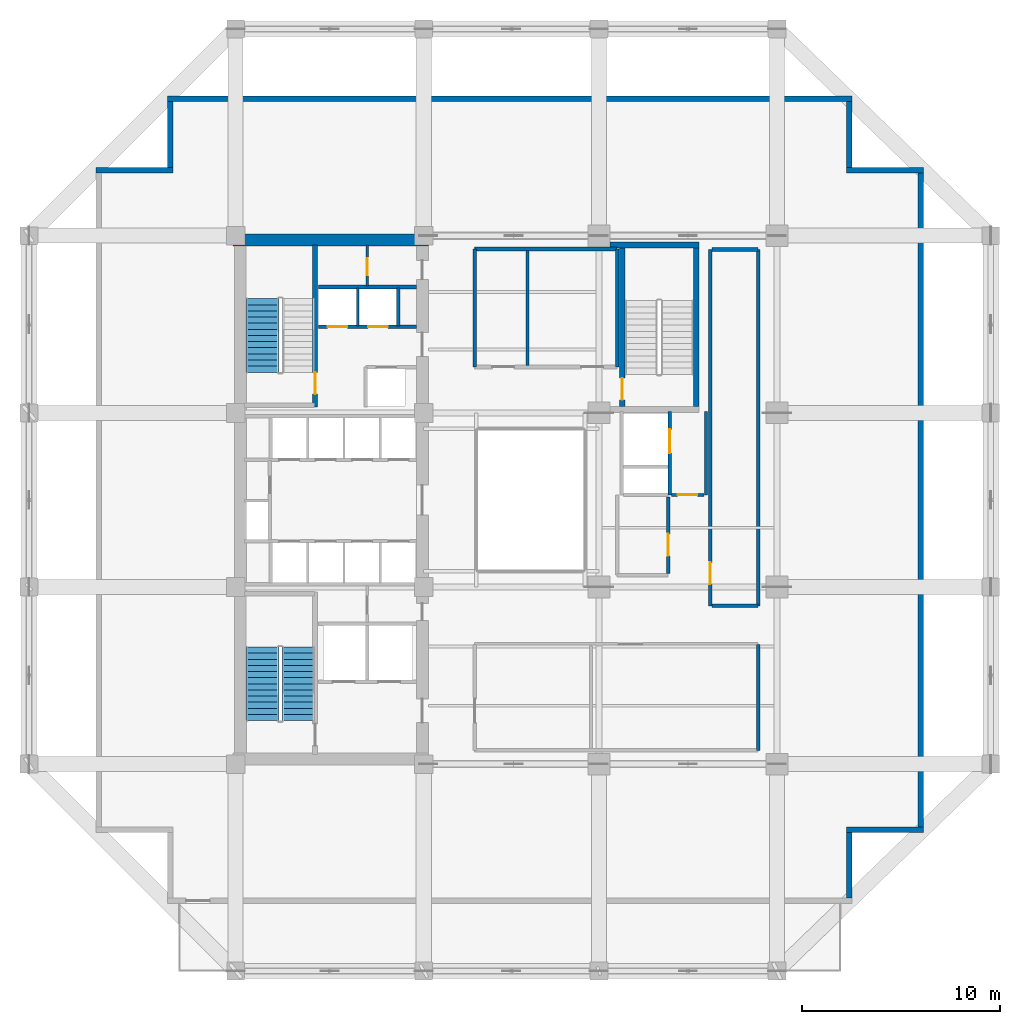
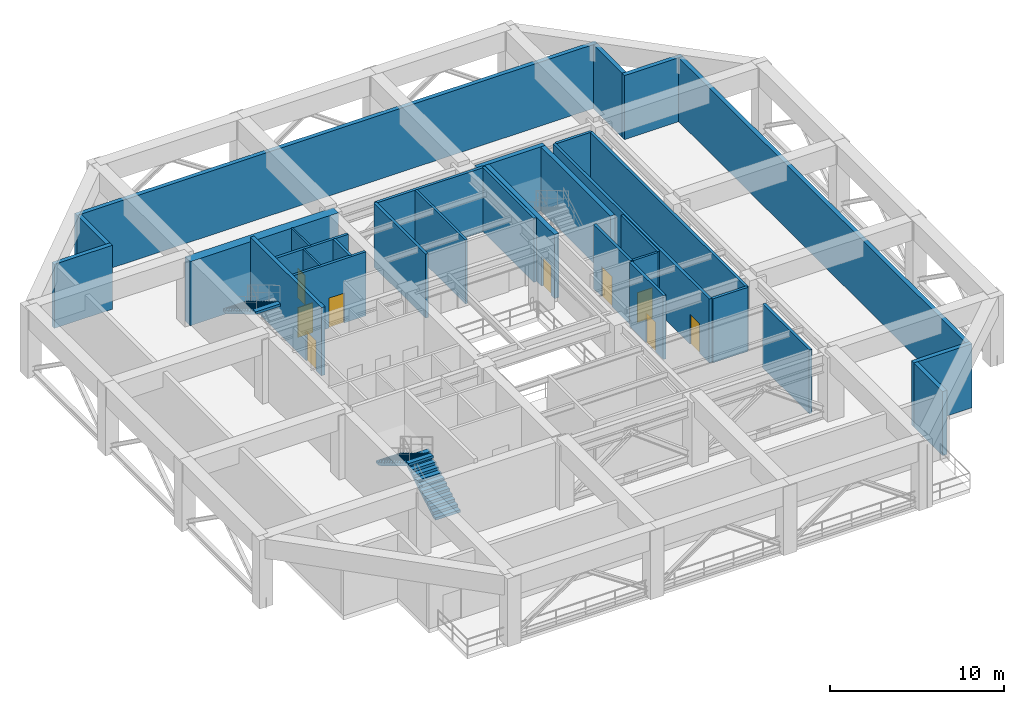
# One storey, part 5 of 10: 31 walls, 9 doors, 3 stair flights, 9 openings, 2 elements without a shape of their own.
"""IFC4 building model written with IfcOpenShell, lengths in metres."""

from ifc_helpers import new_model, si_unit, direction, frame, frame_2d, origin, place, context, subcontext, project, spatial, polyline, rectangle, outline, extrude, material, layer, layer_set, type_object, element, fill, aggregate, save


model = new_model("IFC4")

# Units and contexts
model_context = context("Model", 3, precision=1e-05, world=origin(), true_north=direction((0.0, 1.0)))
body_context = subcontext(model_context, "Body", "Model", "MODEL_VIEW")
ifc_project = project(units=[si_unit("LENGTHUNIT", "METRE"), si_unit("AREAUNIT", "SQUARE_METRE"), si_unit("VOLUMEUNIT", "CUBIC_METRE"), si_unit("PLANEANGLEUNIT", "RADIAN"), si_unit("MASSUNIT", "GRAM", prefix="KILO")], contexts=[model_context])

# Site, building, storey
site_placement = place(None, origin())
site = spatial("IfcSite", under=ifc_project, at=site_placement, CompositionType="ELEMENT")
building_placement = place(site_placement, origin())
building = spatial("IfcBuilding", under=site, at=building_placement, Name="Kundavana Baori Tower", CompositionType="ELEMENT")
storey_placement = place(building_placement, frame((0.0, 0.0, 94.0)))
storey = spatial("IfcBuildingStorey", under=building, at=storey_placement, Name="L22", CompositionType="ELEMENT", Elevation=94.0)

# Wall, opening, door
ifc_material_1 = material(Name="Concrete C50/60", Category="concrete")
ifc_layer_1 = layer(ifc_material_1, 0.39990234375, Name="WL-CORE-400")
ifc_layer_set_1 = layer_set([ifc_layer_1], Name="Concrete C50/60")
wall_type_1 = type_object("IfcWallType", Name="WL-CORE-400", PredefinedType="SHEAR", material=ifc_layer_set_1)
wall_1_placement = place(storey_placement, frame((19.4599609375, 33.300048828125, 0.0), z_axis=(0.0, 0.0, 1.0), x_axis=(0.0, 1.0, 0.0)))
wall_1 = element("IfcWall", 1, at=wall_1_placement, inside=storey, type_object=wall_type_1, Name="WL-L22-ST2-E", PredefinedType="SHEAR", context=body_context, shape_type="SweptSolid", body=[
    extrude(rectangle(XDim=8.179931640625, YDim=0.239990234375, at=frame_2d((4.08984375, 0.0))), origin(), (0.0, 0.0, 1.0), 4.800048828125),
])
opening_1_placement = place(wall_1_placement, frame((0.64990234375, 0.0, 0.0)))
opening_1 = element("IfcOpeningElement", 2, at=opening_1_placement, cuts=wall_1, Name="Opening FD-110", PredefinedType="OPENING", context=body_context, shape_type="SweptSolid", body=[
    extrude(rectangle(XDim=1.10009765625, YDim=2.10009765625, at=frame_2d((0.550048828125, 1.050048828125))), frame((0.0, 0.1298828125, 0.0), z_axis=(0.0, -1.0, 0.0), x_axis=(1.0, 0.0, 0.0)), (0.0, 0.0, 1.0), 0.260009765625),
])
ifc_material_2 = material(Name="Galvanised Steel Fire-Rated Door Leaf", Category="steel")
door_type_1 = type_object("IfcDoorType", Name="DR-FD120-1100", OperationType="NOTDEFINED", PredefinedType="DOOR", material=ifc_material_2)
door_1_placement = place(opening_1_placement, origin())
door_1 = element("IfcDoor", 3, at=door_1_placement, inside=storey, type_object=door_type_1, Name="DR-L22-ST2", OperationType="SINGLE_SWING_RIGHT", OverallHeight=2.10009765625, OverallWidth=1.10009765625, PredefinedType="DOOR", context=body_context, shape_type="SweptSolid", body=[
    extrude(rectangle(XDim=1.10009765625, YDim=2.10009765625, at=frame_2d((0.550048828125, 1.050048828125))), frame((0.0, 0.02490234375, 0.0), z_axis=(0.0, -1.0, 0.0), x_axis=(1.0, 0.0, 0.0)), (0.0, 0.0, 1.0), 0.050048828125),
])
fill(opening_1, door_1)

# Walls
ifc_material_3 = material(Name="Concrete C60/75", Category="concrete")
ifc_layer_2 = layer(ifc_material_3, 0.60009765625, Name="WL-CORE-600")
ifc_layer_set_2 = layer_set([ifc_layer_2], Name="Concrete C60/75")
wall_type_2 = type_object("IfcWallType", Name="WL-CORE-600", PredefinedType="SHEAR", material=ifc_layer_set_2)
wall_2_placement = place(storey_placement, frame((15.300048828125, 41.739990234375, 0.0), z_axis=(0.0, 0.0, 1.0), x_axis=(1.0, 0.0, 0.0)))
element("IfcWall", 4, at=wall_2_placement, inside=storey, type_object=wall_type_2, Name="L22 Offset Core North Shear Wall", PredefinedType="SHEAR", context=body_context, shape_type="SweptSolid", body=[
    extrude(rectangle(XDim=9.8798828125, YDim=0.60009765625, at=frame_2d((4.93994140625, 0.0))), origin(), (0.0, 0.0, 1.0), 4.5),
])
ifc_material_4 = material(Name="Red-Buff Dholpur Sandstone Cladding on Concrete C40/50", Category="masonry")
ifc_layer_3 = layer(ifc_material_4, 0.280029296875, Name="WL-EXT-SAND-280")
ifc_layer_set_3 = layer_set([ifc_layer_3], Name="Red-Buff Dholpur Sandstone Cladding on Concrete C40/50")
wall_type_3 = type_object("IfcWallType", Name="WL-EXT-SAND-280", PredefinedType="STANDARD", material=ifc_layer_set_3)
wall_3_placement = place(storey_placement, frame((46.4599609375, 8.47998046875, 0.0), z_axis=(0.0, 0.0, 1.0), x_axis=(0.0, 1.0, 0.0)))
element("IfcWall", 5, at=wall_3_placement, inside=storey, type_object=wall_type_3, Name="L22 Exterior Insulated Facade Wall 02", PredefinedType="STANDARD", context=body_context, shape_type="SweptSolid", body=[
    extrude(rectangle(XDim=3.320068359375, YDim=0.280029296875, at=frame_2d((1.66015625, 0.0))), origin(), (0.0, 0.0, 1.0), 4.5),
])
wall_4_placement = place(storey_placement, frame((46.320068359375, 11.93994140625, 0.0), z_axis=(0.0, 0.0, 1.0), x_axis=(1.0, 0.0, 0.0)))
element("IfcWall", 6, at=wall_4_placement, inside=storey, type_object=wall_type_3, Name="L22 Exterior Insulated Facade Wall 03", PredefinedType="STANDARD", context=body_context, shape_type="SweptSolid", body=[
    extrude(rectangle(XDim=3.8798828125, YDim=0.280029296875, at=frame_2d((1.93994140625, 0.0))), origin(), (0.0, 0.0, 1.0), 4.5),
])
wall_5_placement = place(storey_placement, frame((50.06005859375, 12.080078125, 0.0), z_axis=(0.0, 0.0, 1.0), x_axis=(0.0, 1.0, 0.0)))
element("IfcWall", 7, at=wall_5_placement, inside=storey, type_object=wall_type_3, Name="L22 Exterior Insulated Facade Wall 04", PredefinedType="STANDARD", context=body_context, shape_type="SweptSolid", body=[
    extrude(rectangle(XDim=33.0400390625, YDim=0.280029296875, at=frame_2d((16.52001953125, 0.0))), origin(), (0.0, 0.0, 1.0), 4.5),
])
wall_6_placement = place(storey_placement, frame((50.199951171875, 45.260009765625, 0.0), z_axis=(0.0, 0.0, 1.0), x_axis=(-1.0, 0.0, 0.0)))
element("IfcWall", 8, at=wall_6_placement, inside=storey, type_object=wall_type_3, Name="L22 Exterior Insulated Facade Wall 05", PredefinedType="STANDARD", context=body_context, shape_type="SweptSolid", body=[
    extrude(rectangle(XDim=3.8798828125, YDim=0.280029296875, at=frame_2d((1.93994140625, 0.0))), origin(), (0.0, 0.0, 1.0), 4.5),
])
wall_7_placement = place(storey_placement, frame((46.4599609375, 45.39990234375, 0.0), z_axis=(0.0, 0.0, 1.0), x_axis=(0.0, 1.0, 0.0)))
element("IfcWall", 9, at=wall_7_placement, inside=storey, type_object=wall_type_3, Name="L22 Exterior Insulated Facade Wall 06", PredefinedType="STANDARD", context=body_context, shape_type="SweptSolid", body=[
    extrude(rectangle(XDim=3.320068359375, YDim=0.280029296875, at=frame_2d((1.66015625, 0.0))), origin(), (0.0, 0.0, 1.0), 4.5),
])
wall_8_placement = place(storey_placement, frame((46.60009765625, 48.860107421875, 0.0), z_axis=(0.0, 0.0, 1.0), x_axis=(-1.0, 0.0, 0.0)))
element("IfcWall", 10, at=wall_8_placement, inside=storey, type_object=wall_type_3, Name="L22 Exterior Insulated Facade Wall 07", PredefinedType="STANDARD", context=body_context, shape_type="SweptSolid", body=[
    extrude(rectangle(XDim=34.60009765625, YDim=0.280029296875, at=frame_2d((17.300048828125, 0.0))), origin(), (0.0, 0.0, 1.0), 4.5),
])
wall_9_placement = place(storey_placement, frame((12.139892578125, 48.719970703125, 0.0), z_axis=(0.0, 0.0, 1.0), x_axis=(0.0, -1.0, 0.0)))
element("IfcWall", 11, at=wall_9_placement, inside=storey, type_object=wall_type_3, Name="L22 Exterior Insulated Facade Wall 08", PredefinedType="STANDARD", context=body_context, shape_type="SweptSolid", body=[
    extrude(rectangle(XDim=3.320068359375, YDim=0.280029296875, at=frame_2d((1.66015625, 0.0))), origin(), (0.0, 0.0, 1.0), 4.5),
])
wall_10_placement = place(storey_placement, frame((12.280029296875, 45.260009765625, 0.0), z_axis=(0.0, 0.0, 1.0), x_axis=(-1.0, 0.0, 0.0)))
element("IfcWall", 12, at=wall_10_placement, inside=storey, type_object=wall_type_3, Name="L22 Exterior Insulated Facade Wall 09", PredefinedType="STANDARD", context=body_context, shape_type="SweptSolid", body=[
    extrude(rectangle(XDim=3.880126953125, YDim=0.280029296875, at=frame_2d((1.93994140625, 0.0))), origin(), (0.0, 0.0, 1.0), 4.5),
])
ifc_material_5 = material(Name="Acoustic Gypsum Plasterboard on Galvanised Steel Studs", Category="steel")
ifc_layer_4 = layer(ifc_material_5, 0.1201171875, Name="WL-PART-120")
ifc_layer_set_4 = layer_set([ifc_layer_4], Name="Acoustic Gypsum Plasterboard on Galvanised Steel Studs")
wall_type_4 = type_object("IfcWallType", Name="WL-PART-120", PredefinedType="PARTITIONING", material=ifc_layer_set_4)
wall_11_placement = place(storey_placement, frame((21.6201171875, 37.39990234375, 0.0), z_axis=(0.0, 0.0, 1.0), x_axis=(0.0, 1.0, 0.0)))
element("IfcWall", 13, at=wall_11_placement, inside=storey, type_object=wall_type_4, Name="WL-L22-HR-DIV1", PredefinedType="PARTITIONING", context=body_context, shape_type="SweptSolid", body=[
    extrude(rectangle(XDim=1.900146484375, YDim=0.1201171875, at=frame_2d((0.9501953125, 0.0))), origin(), (0.0, 0.0, 1.0), 4.5),
])

# Wall, opening, door
wall_12_placement = place(storey_placement, frame((22.10009765625, 39.39990234375, 0.0), z_axis=(0.0, 0.0, 1.0), x_axis=(0.0, 1.0, 0.0)))
wall_12 = element("IfcWall", 14, at=wall_12_placement, inside=storey, type_object=wall_type_4, Name="WL-L22-CSRV-D1", PredefinedType="PARTITIONING", context=body_context, shape_type="SweptSolid", body=[
    extrude(rectangle(XDim=2.080078125, YDim=0.1201171875, at=frame_2d((1.0400390625, 0.0))), origin(), (0.0, 0.0, 1.0), 4.5),
])
opening_2_placement = place(wall_12_placement, frame((0.550048828125, 0.0, 0.0)))
opening_2 = element("IfcOpeningElement", 15, at=opening_2_placement, cuts=wall_12, Name="Opening FD-085", PredefinedType="OPENING", context=body_context, shape_type="SweptSolid", body=[
    extrude(rectangle(XDim=0.85009765625, YDim=2.06005859375, at=frame_2d((0.425048828125, 1.030029296875))), frame((0.0, 0.070068359375, 0.0), z_axis=(0.0, -1.0, 0.0), x_axis=(1.0, 0.0, 0.0)), (0.0, 0.0, 1.0), 0.14013671875),
])
ifc_material_6 = material(Name="Galvanised Steel Fire-Rated Door Leaf", Category="steel")
door_type_2 = type_object("IfcDoorType", Name="DR-FD60-850", OperationType="NOTDEFINED", PredefinedType="DOOR", material=ifc_material_6)
door_2_placement = place(opening_2_placement, origin())
door_2 = element("IfcDoor", 16, at=door_2_placement, inside=storey, type_object=door_type_2, Name="DR-L22-CSRV1", OperationType="SINGLE_SWING_LEFT", OverallHeight=2.06005859375, OverallWidth=0.85009765625, PredefinedType="DOOR", context=body_context, shape_type="SweptSolid", body=[
    extrude(rectangle(XDim=0.85009765625, YDim=2.06005859375, at=frame_2d((0.425048828125, 1.030029296875))), frame((0.0, 0.02490234375, 0.0), z_axis=(0.0, -1.0, 0.0), x_axis=(1.0, 0.0, 0.0)), (0.0, 0.0, 1.0), 0.050048828125),
])
fill(opening_2, door_2)

# Wall
ifc_material_7 = material(Name="Fire-Rated Gypsum Drywall on Galvanised Steel Studs", Category="steel")
ifc_layer_5 = layer(ifc_material_7, 0.14990234375, Name="WL-PART-150")
ifc_layer_set_5 = layer_set([ifc_layer_5], Name="Fire-Rated Gypsum Drywall on Galvanised Steel Studs")
wall_type_5 = type_object("IfcWallType", Name="WL-PART-150", PredefinedType="PARTITIONING", material=ifc_layer_set_5)
wall_13_placement = place(storey_placement, frame((39.199951171875, 28.860107421875, 0.0), z_axis=(0.0, 0.0, 1.0), x_axis=(0.0, 1.0, 0.0)))
element("IfcWall", 17, at=wall_13_placement, inside=storey, type_object=wall_type_5, Name="WL-L22-SVLOB-E", PredefinedType="PARTITIONING", context=body_context, shape_type="SweptSolid", body=[
    extrude(rectangle(XDim=4.219970703125, YDim=0.14990234375, at=frame_2d((2.10986328125, 0.0))), origin(), (0.0, 0.0, 1.0), 4.5),
])

# Wall, opening, door
wall_14_placement = place(storey_placement, frame((37.47998046875, 28.860107421875, 0.0), z_axis=(0.0, 0.0, 1.0), x_axis=(1.0, 0.0, 0.0)))
wall_14 = element("IfcWall", 18, at=wall_14_placement, inside=storey, type_object=wall_type_5, Name="WL-L22-SVLOB-S", PredefinedType="PARTITIONING", context=body_context, shape_type="SweptSolid", body=[
    extrude(rectangle(XDim=1.64013671875, YDim=0.14990234375, at=frame_2d((0.820068359375, 0.0))), origin(), (0.0, 0.0, 1.0), 4.5),
])
opening_3_placement = place(wall_14_placement, frame((0.300048828125, 0.0, 0.0)))
opening_3 = element("IfcOpeningElement", 19, at=opening_3_placement, cuts=wall_14, Name="Opening FD-100", PredefinedType="OPENING", context=body_context, shape_type="SweptSolid", body=[
    extrude(rectangle(XDim=1.0, YDim=2.10009765625, at=frame_2d((0.5, 1.050048828125))), frame((0.0, 0.0849609375, 0.0), z_axis=(0.0, -1.0, 0.0), x_axis=(1.0, 0.0, 0.0)), (0.0, 0.0, 1.0), 0.169921875),
])
ifc_material_8 = material(Name="Engineered Teak Fire-Rated Timber Door Leaf", Category="wood")
door_type_3 = type_object("IfcDoorType", Name="DR-FD60-1000", OperationType="NOTDEFINED", PredefinedType="DOOR", material=ifc_material_8)
door_3_placement = place(opening_3_placement, origin())
door_3 = element("IfcDoor", 20, at=door_3_placement, inside=storey, type_object=door_type_3, Name="DR-L22-SVLOB-OUT", OperationType="SINGLE_SWING_LEFT", OverallHeight=2.10009765625, OverallWidth=1.0, PredefinedType="DOOR", context=body_context, shape_type="SweptSolid", body=[
    extrude(rectangle(XDim=1.0, YDim=2.10009765625, at=frame_2d((0.5, 1.050048828125))), frame((0.0, 0.02490234375, 0.0), z_axis=(0.0, -1.0, 0.0), x_axis=(1.0, 0.0, 0.0)), (0.0, 0.0, 1.0), 0.050048828125),
])
fill(opening_3, door_3)

# Walls
wall_15_placement = place(storey_placement, frame((30.199951171875, 35.39990234375, 0.0), z_axis=(0.0, 0.0, 1.0), x_axis=(0.0, 1.0, 0.0)))
element("IfcWall", 21, at=wall_15_placement, inside=storey, type_object=wall_type_5, Name="WL-L22-PLD2", PredefinedType="PARTITIONING", context=body_context, shape_type="SweptSolid", body=[
    extrude(rectangle(XDim=5.800048828125, YDim=0.14990234375, at=frame_2d((2.89990234375, 0.0))), origin(), (0.0, 0.0, 1.0), 4.5),
])
ifc_material_9 = material(Name="Autoclaved Aerated Concrete Blockwork Masonry", Category="masonry")
ifc_layer_6 = layer(ifc_material_9, 0.18505859375, Name="WL-PART-180")
ifc_layer_set_6 = layer_set([ifc_layer_6], Name="Autoclaved Aerated Concrete Blockwork Masonry")
wall_type_6 = type_object("IfcWallType", Name="WL-PART-180", PredefinedType="SOLIDWALL", material=ifc_layer_set_6)
wall_16_placement = place(storey_placement, frame((41.85009765625, 15.949951171875, 0.0), z_axis=(0.0, 0.0, 1.0), x_axis=(0.0, 1.0, 0.0)))
element("IfcWall", 22, at=wall_16_placement, inside=storey, type_object=wall_type_6, Name="WL-L22-REF-E", PredefinedType="SOLIDWALL", context=body_context, shape_type="SweptSolid", body=[
    extrude(rectangle(XDim=5.35009765625, YDim=0.18505859375, at=frame_2d((2.675048828125, 0.0))), origin(), (0.0, 0.0, 1.0), 4.5),
])

# Wall, opening, door
wall_17_placement = place(storey_placement, frame((39.419921875, 23.25, 0.0), z_axis=(0.0, 0.0, 1.0), x_axis=(0.0, 1.0, 0.0)))
wall_17 = element("IfcWall", 23, at=wall_17_placement, inside=storey, type_object=wall_type_6, Name="WL-L22-RNEW", PredefinedType="SOLIDWALL", context=body_context, shape_type="SweptSolid", body=[
    extrude(rectangle(XDim=18.0, YDim=0.18505859375, at=frame_2d((9.0, 0.0))), origin(), (0.0, 0.0, 1.0), 4.5),
])
opening_4_placement = place(wall_17_placement, frame((1.10009765625, 0.0, 0.0)))
opening_4 = element("IfcOpeningElement", 24, at=opening_4_placement, cuts=wall_17, Name="Opening FD-110", PredefinedType="OPENING", context=body_context, shape_type="SweptSolid", body=[
    extrude(rectangle(XDim=1.10009765625, YDim=2.10009765625, at=frame_2d((0.550048828125, 1.050048828125))), frame((0.0, 0.1025390625, 0.0), z_axis=(0.0, -1.0, 0.0), x_axis=(1.0, 0.0, 0.0)), (0.0, 0.0, 1.0), 0.205078125),
])
door_4_placement = place(opening_4_placement, origin())
door_4 = element("IfcDoor", 25, at=door_4_placement, inside=storey, type_object=door_type_1, Name="DR-L22-REF3", OperationType="SINGLE_SWING_LEFT", OverallHeight=2.10009765625, OverallWidth=1.10009765625, PredefinedType="DOOR", context=body_context, shape_type="SweptSolid", body=[
    extrude(rectangle(XDim=1.10009765625, YDim=2.10009765625, at=frame_2d((0.550048828125, 1.050048828125))), frame((0.0, 0.02490234375, 0.0), z_axis=(0.0, -1.0, 0.0), x_axis=(1.0, 0.0, 0.0)), (0.0, 0.0, 1.0), 0.050048828125),
])
fill(opening_4, door_4)

# Walls
wall_18_placement = place(storey_placement, frame((39.52001953125, 23.25, 0.0), z_axis=(0.0, 0.0, 1.0), x_axis=(1.0, 0.0, 0.0)))
element("IfcWall", 26, at=wall_18_placement, inside=storey, type_object=wall_type_6, Name="WL-L22-RNES", PredefinedType="SOLIDWALL", context=body_context, shape_type="SweptSolid", body=[
    extrude(rectangle(XDim=2.330078125, YDim=0.18505859375, at=frame_2d((1.1650390625, 0.0))), origin(), (0.0, 0.0, 1.0), 4.5),
])
wall_19_placement = place(storey_placement, frame((41.85009765625, 23.25, 0.0), z_axis=(0.0, 0.0, 1.0), x_axis=(0.0, 1.0, 0.0)))
element("IfcWall", 27, at=wall_19_placement, inside=storey, type_object=wall_type_6, Name="WL-L22-RNEE", PredefinedType="SOLIDWALL", context=body_context, shape_type="SweptSolid", body=[
    extrude(rectangle(XDim=18.0, YDim=0.18505859375, at=frame_2d((9.0, 0.0))), origin(), (0.0, 0.0, 1.0), 4.5),
])
wall_20_placement = place(storey_placement, frame((39.52001953125, 41.25, 0.0), z_axis=(0.0, 0.0, 1.0), x_axis=(1.0, 0.0, 0.0)))
element("IfcWall", 28, at=wall_20_placement, inside=storey, type_object=wall_type_6, Name="WL-L22-RNEN", PredefinedType="SOLIDWALL", context=body_context, shape_type="SweptSolid", body=[
    extrude(rectangle(XDim=2.330078125, YDim=0.18505859375, at=frame_2d((1.1650390625, 0.0))), origin(), (0.0, 0.0, 1.0), 4.5),
])

# Wall, opening, door
wall_21_placement = place(storey_placement, frame((37.300048828125, 24.8798828125, 0.0), z_axis=(0.0, 0.0, 1.0), x_axis=(0.0, 1.0, 0.0)))
wall_21 = element("IfcWall", 29, at=wall_21_placement, inside=storey, type_object=wall_type_6, Name="WL-L22-PAHUE", PredefinedType="SOLIDWALL", context=body_context, shape_type="SweptSolid", body=[
    extrude(rectangle(XDim=3.880126953125, YDim=0.18505859375, at=frame_2d((1.93994140625, 0.0))), origin(), (0.0, 0.0, 1.0), 4.5),
])
opening_5_placement = place(wall_21_placement, frame((0.89990234375, 0.0, 0.0)))
opening_5 = element("IfcOpeningElement", 30, at=opening_5_placement, cuts=wall_21, Name="Opening FD-110", PredefinedType="OPENING", context=body_context, shape_type="SweptSolid", body=[
    extrude(rectangle(XDim=1.10009765625, YDim=2.10009765625, at=frame_2d((0.550048828125, 1.050048828125))), frame((0.0, 0.1025390625, 0.0), z_axis=(0.0, -1.0, 0.0), x_axis=(1.0, 0.0, 0.0)), (0.0, 0.0, 1.0), 0.205078125),
])
door_5_placement = place(opening_5_placement, frame((1.10009765625, 0.0, 0.0), z_axis=(0.0, 0.0, 1.0), x_axis=(-1.0, 0.0, 0.0)))
door_5 = element("IfcDoor", 31, at=door_5_placement, inside=storey, type_object=door_type_1, Name="DR-L22-PL1", OperationType="SINGLE_SWING_LEFT", OverallHeight=2.10009765625, OverallWidth=1.10009765625, PredefinedType="DOOR", context=body_context, shape_type="SweptSolid", body=[
    extrude(rectangle(XDim=1.10009765625, YDim=2.10009765625, at=frame_2d((0.550048828125, 1.050048828125))), frame((0.0, 0.02490234375, 0.0), z_axis=(0.0, -1.0, 0.0), x_axis=(1.0, 0.0, 0.0)), (0.0, 0.0, 1.0), 0.050048828125),
])
fill(opening_5, door_5)

# Walls
wall_22_placement = place(storey_placement, frame((27.52001953125, 41.280029296875, 0.0), z_axis=(0.0, 0.0, 1.0), x_axis=(1.0, 0.0, 0.0)))
element("IfcWall", 32, at=wall_22_placement, inside=storey, type_object=wall_type_6, Name="WL-L22-PLNT", PredefinedType="SOLIDWALL", context=body_context, shape_type="SweptSolid", body=[
    extrude(rectangle(XDim=7.199951171875, YDim=0.18505859375, at=frame_2d((3.60009765625, 0.0))), origin(), (0.0, 0.0, 1.0), 4.5),
])
for number, where, z_axis, x_axis, name in (
    (33, (27.52001953125, 35.320068359375, 0.0), (0.0, 0.0, 1.0), (0.0, 1.0, 0.0), "WL-L22-PLNW"),
    (34, (34.719970703125, 35.320068359375, 0.0), (0.0, 0.0, 1.0), (0.0, 1.0, 0.0), "WL-L22-PLNE"),
):
    element("IfcWall", number, at=place(storey_placement, frame(where, z_axis=z_axis, x_axis=x_axis)), inside=storey, type_object=wall_type_6, Name=name, PredefinedType="SOLIDWALL", context=body_context, shape_type="SweptSolid", body=[
        extrude(rectangle(XDim=5.9599609375, YDim=0.18505859375, at=frame_2d((2.97998046875, 0.0))), origin(), (0.0, 0.0, 1.0), 4.5),
    ])

# Wall, openings, doors
ifc_material_10 = material(Name="Autoclaved Aerated Concrete Blockwork Masonry", Category="masonry")
ifc_layer_7 = layer(ifc_material_10, 0.179931640625, Name="WL-SHAFT-180")
ifc_layer_set_7 = layer_set([ifc_layer_7], Name="Autoclaved Aerated Concrete Blockwork Masonry")
wall_type_7 = type_object("IfcWallType", Name="WL-SHAFT-180", PredefinedType="SOLIDWALL", material=ifc_layer_set_7)
wall_23_placement = place(storey_placement, frame((19.639892578125, 37.340087890625, 0.0), z_axis=(0.0, 0.0, 1.0), x_axis=(1.0, 0.0, 0.0)))
wall_23 = element("IfcWall", 35, at=wall_23_placement, inside=storey, type_object=wall_type_7, Name="WL-L22-HRLOB-N", PredefinedType="SOLIDWALL", context=body_context, shape_type="SweptSolid", body=[
    extrude(rectangle(XDim=4.940185546875, YDim=0.179931640625, at=frame_2d((2.47021484375, 0.0))), origin(), (0.0, 0.0, 1.0), 4.5),
])
opening_6_placement = place(wall_23_placement, frame((0.449951171875, 0.0, 0.0)))
opening_6 = element("IfcOpeningElement", 36, at=opening_6_placement, cuts=wall_23, Name="Opening LD-100", PredefinedType="OPENING", context=body_context, shape_type="SweptSolid", body=[
    extrude(rectangle(XDim=1.0, YDim=2.10009765625, at=frame_2d((0.5, 1.050048828125))), frame((0.0, 0.10009765625, 0.0), z_axis=(0.0, -1.0, 0.0), x_axis=(1.0, 0.0, 0.0)), (0.0, 0.0, 1.0), 0.199951171875),
])
opening_7_placement = place(wall_23_placement, frame((2.5, 0.0, 0.0)))
opening_7 = element("IfcOpeningElement", 37, at=opening_7_placement, cuts=wall_23, Name="Opening LD-100", PredefinedType="OPENING", context=body_context, shape_type="SweptSolid", body=[
    extrude(rectangle(XDim=1.0, YDim=2.10009765625, at=frame_2d((0.5, 1.050048828125))), frame((0.0, 0.10009765625, 0.0), z_axis=(0.0, -1.0, 0.0), x_axis=(1.0, 0.0, 0.0)), (0.0, 0.0, 1.0), 0.199951171875),
])
ifc_material_11 = material(Name="Galvanised Steel Fire-Rated Door Leaf", Category="steel")
door_type_4 = type_object("IfcDoorType", Name="DR-SLIDE-LD1000", OperationType="NOTDEFINED", PredefinedType="DOOR", material=ifc_material_11)
door_6_placement = place(opening_6_placement, frame((1.0, 0.0, 0.0), z_axis=(0.0, 0.0, 1.0), x_axis=(-1.0, 0.0, 0.0)))
door_6 = element("IfcDoor", 38, at=door_6_placement, inside=storey, type_object=door_type_4, Name="DR-L22-LD-LP09", OperationType="DOUBLE_DOOR_SLIDING", OverallHeight=2.10009765625, OverallWidth=1.0, PredefinedType="DOOR", context=body_context, shape_type="SweptSolid", body=[
    extrude(rectangle(XDim=1.0, YDim=2.10009765625, at=frame_2d((0.5, 1.050048828125))), frame((0.0, 0.02490234375, 0.0), z_axis=(0.0, -1.0, 0.0), x_axis=(1.0, 0.0, 0.0)), (0.0, 0.0, 1.0), 0.050048828125),
])
fill(opening_6, door_6)
door_7_placement = place(opening_7_placement, frame((1.0, 0.0, 0.0), z_axis=(0.0, 0.0, 1.0), x_axis=(-1.0, 0.0, 0.0)))
door_7 = element("IfcDoor", 39, at=door_7_placement, inside=storey, type_object=door_type_4, Name="DR-L22-LD-LP10", OperationType="DOUBLE_DOOR_SLIDING", OverallHeight=2.10009765625, OverallWidth=1.0, PredefinedType="DOOR", context=body_context, shape_type="SweptSolid", body=[
    extrude(rectangle(XDim=1.0, YDim=2.10009765625, at=frame_2d((0.5, 1.050048828125))), frame((0.0, 0.02490234375, 0.0), z_axis=(0.0, -1.0, 0.0), x_axis=(1.0, 0.0, 0.0)), (0.0, 0.0, 1.0), 0.050048828125),
])
fill(opening_7, door_7)

# Walls
wall_24_placement = place(storey_placement, frame((19.639892578125, 39.360107421875, 0.0), z_axis=(0.0, 0.0, 1.0), x_axis=(1.0, 0.0, 0.0)))
element("IfcWall", 40, at=wall_24_placement, inside=storey, type_object=wall_type_7, Name="WL-L22-HRLOB-TOP", PredefinedType="SOLIDWALL", context=body_context, shape_type="SweptSolid", body=[
    extrude(rectangle(XDim=4.940185546875, YDim=0.179931640625, at=frame_2d((2.47021484375, 0.0))), origin(), (0.0, 0.0, 1.0), 4.5),
])
wall_25_placement = place(storey_placement, frame((23.659912109375, 37.39990234375, 0.0), z_axis=(0.0, 0.0, 1.0), x_axis=(0.0, 1.0, 0.0)))
element("IfcWall", 41, at=wall_25_placement, inside=storey, type_object=wall_type_7, Name="WL-L22-HR-DIV2", PredefinedType="SOLIDWALL", context=body_context, shape_type="SweptSolid", body=[
    extrude(rectangle(XDim=1.900146484375, YDim=0.179931640625, at=frame_2d((0.9501953125, 0.0))), origin(), (0.0, 0.0, 1.0), 4.5),
])

# Wall, opening, door
wall_26_placement = place(storey_placement, frame((37.389892578125, 28.860107421875, 0.0), z_axis=(0.0, 0.0, 1.0), x_axis=(0.0, 1.0, 0.0)))
wall_26 = element("IfcWall", 42, at=wall_26_placement, inside=storey, type_object=wall_type_7, Name="WL-L22-SVL-E", PredefinedType="SOLIDWALL", context=body_context, shape_type="SweptSolid", body=[
    extrude(rectangle(XDim=4.219970703125, YDim=0.179931640625, at=frame_2d((2.10986328125, 0.0))), origin(), (0.0, 0.0, 1.0), 4.5),
])
opening_8_placement = place(wall_26_placement, frame((2.10009765625, 0.0, 0.0)))
opening_8 = element("IfcOpeningElement", 43, at=opening_8_placement, cuts=wall_26, Name="Opening LD-120", PredefinedType="OPENING", context=body_context, shape_type="SweptSolid", body=[
    extrude(rectangle(XDim=1.199951171875, YDim=2.1201171875, at=frame_2d((0.60009765625, 1.06005859375))), frame((0.0, 0.10009765625, 0.0), z_axis=(0.0, -1.0, 0.0), x_axis=(1.0, 0.0, 0.0)), (0.0, 0.0, 1.0), 0.199951171875),
])
ifc_material_12 = material(Name="Galvanised Steel Fire-Rated Door Leaf", Category="steel")
door_type_5 = type_object("IfcDoorType", Name="DR-SLIDE-LD1200", OperationType="NOTDEFINED", PredefinedType="DOOR", material=ifc_material_12)
door_8_placement = place(opening_8_placement, frame((1.199951171875, 0.0, 0.0), z_axis=(0.0, 0.0, 1.0), x_axis=(-1.0, 0.0, 0.0)))
door_8 = element("IfcDoor", 44, at=door_8_placement, inside=storey, type_object=door_type_5, Name="DR-L22-LD-SVL1", OperationType="DOUBLE_DOOR_SLIDING", OverallHeight=2.1201171875, OverallWidth=1.199951171875, PredefinedType="DOOR", context=body_context, shape_type="SweptSolid", body=[
    extrude(rectangle(XDim=1.199951171875, YDim=2.1201171875, at=frame_2d((0.60009765625, 1.06005859375))), frame((0.0, 0.02490234375, 0.0), z_axis=(0.0, -1.0, 0.0), x_axis=(1.0, 0.0, 0.0)), (0.0, 0.0, 1.0), 0.050048828125),
])
fill(opening_8, door_8)

# Wall
ifc_material_13 = material(Name="Concrete C50/60", Category="concrete")
ifc_layer_8 = layer(ifc_material_13, 0.300048828125, Name="WL-ST3-300")
ifc_layer_set_8 = layer_set([ifc_layer_8], Name="Concrete C50/60")
wall_type_8 = type_object("IfcWallType", Name="WL-ST3-300", PredefinedType="SHEAR", material=ifc_layer_set_8)
wall_27_placement = place(storey_placement, frame((34.35009765625, 41.489990234375, 0.0), z_axis=(0.0, 0.0, 1.0), x_axis=(1.0, 0.0, 0.0)))
element("IfcWall", 45, at=wall_27_placement, inside=storey, type_object=wall_type_8, Name="L22 Stair ST3 North Shear Wall", PredefinedType="SHEAR", context=body_context, shape_type="SweptSolid", body=[
    extrude(rectangle(XDim=4.52001953125, YDim=0.300048828125, at=frame_2d((2.260009765625, 0.0))), origin(), (0.0, 0.0, 1.0), 4.5),
])

# Wall, opening, door
wall_28_placement = place(storey_placement, frame((34.97998046875, 33.31005859375, 0.0), z_axis=(0.0, 0.0, 1.0), x_axis=(0.0, 1.0, 0.0)))
wall_28 = element("IfcWall", 46, at=wall_28_placement, inside=storey, type_object=wall_type_8, Name="L22 Stair ST3 West Shear Wall", PredefinedType="SHEAR", context=body_context, shape_type="SweptSolid", body=[
    extrude(rectangle(XDim=8.030029296875, YDim=0.300048828125, at=frame_2d((4.01513671875, 0.0))), origin(), (0.0, 0.0, 1.0), 4.5),
])
opening_9_placement = place(wall_28_placement, frame((0.35009765625, 0.0, 0.0)))
opening_9 = element("IfcOpeningElement", 47, at=opening_9_placement, cuts=wall_28, Name="Opening FD-110", PredefinedType="OPENING", context=body_context, shape_type="SweptSolid", body=[
    extrude(rectangle(XDim=1.10009765625, YDim=2.10009765625, at=frame_2d((0.550048828125, 1.050048828125))), frame((0.0, 0.16015625, 0.0), z_axis=(0.0, -1.0, 0.0), x_axis=(1.0, 0.0, 0.0)), (0.0, 0.0, 1.0), 0.320068359375),
])
door_9_placement = place(opening_9_placement, origin())
door_9 = element("IfcDoor", 48, at=door_9_placement, inside=storey, type_object=door_type_1, Name="DR-L22-ST3-W", OperationType="SINGLE_SWING_LEFT", OverallHeight=2.10009765625, OverallWidth=1.10009765625, PredefinedType="DOOR", context=body_context, shape_type="SweptSolid", body=[
    extrude(rectangle(XDim=1.10009765625, YDim=2.10009765625, at=frame_2d((0.550048828125, 1.050048828125))), frame((0.0, 0.02490234375, 0.0), z_axis=(0.0, -1.0, 0.0), x_axis=(1.0, 0.0, 0.0)), (0.0, 0.0, 1.0), 0.050048828125),
])
fill(opening_9, door_9)

# Wall
wall_29_placement = place(storey_placement, frame((38.719970703125, 33.31005859375, 0.0), z_axis=(0.0, 0.0, 1.0), x_axis=(0.0, 1.0, 0.0)))
element("IfcWall", 49, at=wall_29_placement, inside=storey, type_object=wall_type_8, Name="L22 Stair ST3 East Shear Wall", PredefinedType="SHEAR", context=body_context, shape_type="SweptSolid", body=[
    extrude(rectangle(XDim=8.030029296875, YDim=0.300048828125, at=frame_2d((4.01513671875, 0.0))), origin(), (0.0, 0.0, 1.0), 4.5),
])

# Stair, stair flights
ifc_material_14 = material(Name="Concrete C40/50", Category="concrete")
stair_type = type_object("IfcStairType", Name="STR-DOG-1650", PredefinedType="HALF_TURN_STAIR", material=ifc_material_14)
stair_1_placement = place(storey_placement, origin())
stair_1 = element("IfcStair", 50, at=stair_1_placement, inside=storey, type_object=stair_type, Name="L22 Protected Exit Stair ST1", PredefinedType="HALF_TURN_STAIR")
ifc_material_15 = material(Name="Concrete C40/50", Category="concrete")
stair_flight_type = type_object("IfcStairFlightType", Name="SFL-RC-1650", PredefinedType="STRAIGHT", material=ifc_material_15)
stair_flight_1_placement = place(storey_placement, frame((18.614990234375, 17.449951171875, 0.0), z_axis=(0.0, 0.0, 1.0), x_axis=(0.0, 1.0, 0.0)))
stair_flight_1 = element("IfcStairFlight", 51, at=stair_flight_1_placement, type_object=stair_flight_type, Name="ST1 flight 1", NumberOfRisers=13, NumberOfTreads=12, PredefinedType="STRAIGHT", RiserHeight=0.184615385, TreadLength=0.31, context=body_context, shape_type="SweptSolid", body=[
    extrude(outline(polyline([(0.0, 0.0), (0.0, 0.1845703125), (0.31005859375, 0.1845703125), (0.31005859375, 0.369140625), (0.6201171875, 0.369140625), (0.6201171875, 0.553955078125), (0.929931640625, 0.553955078125), (0.929931640625, 0.738525390625), (1.239990234375, 0.738525390625), (1.239990234375, 0.923095703125), (1.550048828125, 0.923095703125), (1.550048828125, 1.107666015625), (1.860107421875, 1.107666015625), (1.860107421875, 1.292236328125), (2.169921875, 1.292236328125), (2.169921875, 1.476806640625), (2.47998046875, 1.476806640625), (2.47998046875, 1.66162109375), (2.7900390625, 1.66162109375), (2.7900390625, 1.84619140625), (3.10009765625, 1.84619140625), (3.10009765625, 2.03076171875), (3.409912109375, 2.03076171875), (3.409912109375, 2.21533203125), (3.719970703125, 2.21533203125), (3.719970703125, 2.39990234375), (3.719970703125, 2.041015625), (0.29296875, 0.0), (0.0, 0.0)])), frame((0.0, 0.824951171875, 0.0), z_axis=(0.0, -1.0, 0.0), x_axis=(1.0, 0.0, 0.0)), (0.0, 0.0, 1.0), 1.64990234375),
])
stair_flight_2_placement = place(storey_placement, frame((16.804931640625, 21.169921875, 2.39990234375), z_axis=(0.0, 0.0, 1.0), x_axis=(0.0, -1.0, 0.0)))
stair_flight_2 = element("IfcStairFlight", 52, at=stair_flight_2_placement, type_object=stair_flight_type, Name="ST1 flight 2", NumberOfRisers=13, NumberOfTreads=12, PredefinedType="STRAIGHT", RiserHeight=0.184615385, TreadLength=0.31, context=body_context, shape_type="SweptSolid", body=[
    extrude(outline(polyline([(0.0, 0.0), (0.0, 0.1845703125), (0.31005859375, 0.1845703125), (0.31005859375, 0.369140625), (0.6201171875, 0.369140625), (0.6201171875, 0.553955078125), (0.929931640625, 0.553955078125), (0.929931640625, 0.738525390625), (1.239990234375, 0.738525390625), (1.239990234375, 0.923095703125), (1.550048828125, 0.923095703125), (1.550048828125, 1.107666015625), (1.860107421875, 1.107666015625), (1.860107421875, 1.292236328125), (2.169921875, 1.292236328125), (2.169921875, 1.476806640625), (2.47998046875, 1.476806640625), (2.47998046875, 1.66162109375), (2.7900390625, 1.66162109375), (2.7900390625, 1.84619140625), (3.10009765625, 1.84619140625), (3.10009765625, 2.03076171875), (3.409912109375, 2.03076171875), (3.409912109375, 2.21533203125), (3.719970703125, 2.21533203125), (3.719970703125, 2.39990234375), (3.719970703125, 2.041015625), (0.29296875, 0.0), (0.0, 0.0)])), frame((0.0, 0.824951171875, 0.0), z_axis=(0.0, -1.0, 0.0), x_axis=(1.0, 0.0, 0.0)), (0.0, 0.0, 1.0), 1.64990234375),
])
aggregate(stair_1, [stair_flight_1, stair_flight_2])

# Stair, stair flight
stair_2_placement = place(storey_placement, origin())
stair_2 = element("IfcStair", 53, at=stair_2_placement, inside=storey, type_object=stair_type, Name="L22 Protected Exit Stair ST2", PredefinedType="HALF_TURN_STAIR")
stair_flight_3_placement = place(storey_placement, frame((16.804931640625, 38.77001953125, 2.39990234375), z_axis=(0.0, 0.0, 1.0), x_axis=(0.0, -1.0, 0.0)))
stair_flight_3 = element("IfcStairFlight", 54, at=stair_flight_3_placement, type_object=stair_flight_type, Name="ST2 flight 2", NumberOfRisers=13, NumberOfTreads=12, PredefinedType="STRAIGHT", RiserHeight=0.184615385, TreadLength=0.31, context=body_context, shape_type="SweptSolid", body=[
    extrude(outline(polyline([(0.0, 0.0), (0.0, 0.1845703125), (0.31005859375, 0.1845703125), (0.31005859375, 0.369140625), (0.6201171875, 0.369140625), (0.6201171875, 0.553955078125), (0.929931640625, 0.553955078125), (0.929931640625, 0.738525390625), (1.239990234375, 0.738525390625), (1.239990234375, 0.923095703125), (1.550048828125, 0.923095703125), (1.550048828125, 1.107666015625), (1.860107421875, 1.107666015625), (1.860107421875, 1.292236328125), (2.169921875, 1.292236328125), (2.169921875, 1.476806640625), (2.47998046875, 1.476806640625), (2.47998046875, 1.66162109375), (2.7900390625, 1.66162109375), (2.7900390625, 1.84619140625), (3.10009765625, 1.84619140625), (3.10009765625, 2.03076171875), (3.409912109375, 2.03076171875), (3.409912109375, 2.21533203125), (3.719970703125, 2.21533203125), (3.719970703125, 2.39990234375), (3.719970703125, 2.041015625), (0.29296875, 0.0), (0.0, 0.0)])), frame((0.0, 0.824951171875, 0.0), z_axis=(0.0, -1.0, 0.0), x_axis=(1.0, 0.0, 0.0)), (0.0, 0.0, 1.0), 1.64990234375),
])
aggregate(stair_2, [stair_flight_3])

save(model, "model.ifc")
